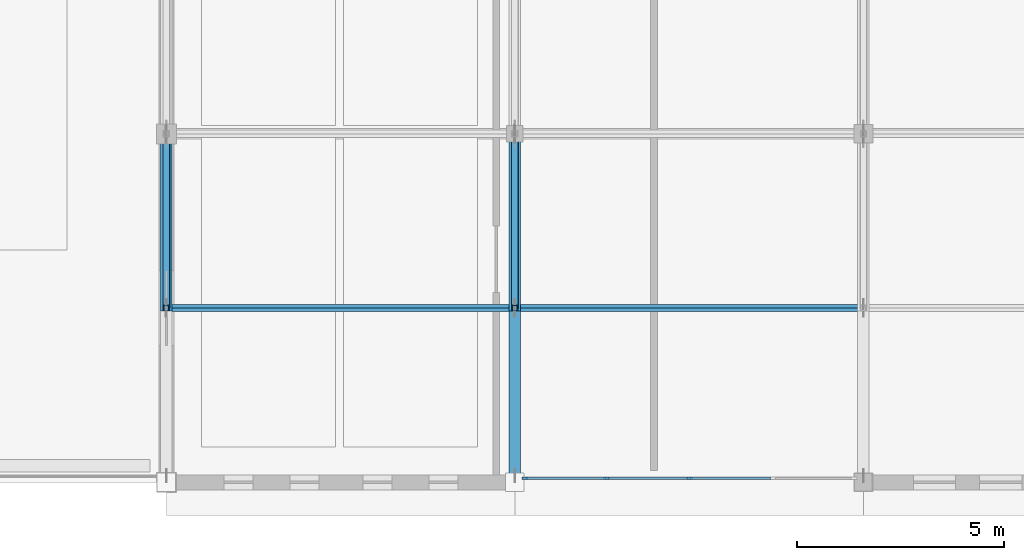
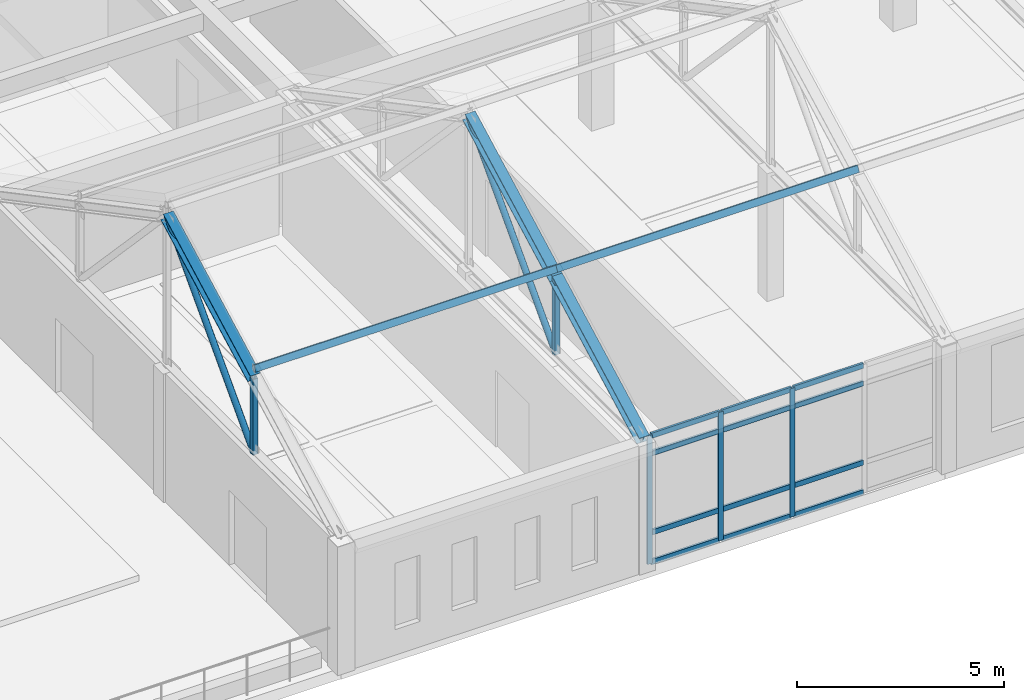
# One storey, part 2 of 47: 24 members, 1 element without a shape of its own.
"""IFC4 building model written with IfcOpenShell, lengths in metres."""

from ifc_helpers import new_model, si_unit, direction, frame, origin, origin_2d, place, context, subcontext, project, spatial, rectangle, hollow_rectangle, hollow_circle, i_section, extrude, material, layer, layer_set, material_profile, profile_set, type_object, element, aggregate, save


model = new_model("IFC4")

# Units and contexts
model_context = context("Model", 3, precision=1e-05, world=origin(), true_north=direction((0.0, 1.0)))
body_context = subcontext(model_context, "Body", "Model", "MODEL_VIEW")
ifc_project = project(units=[si_unit("LENGTHUNIT", "METRE"), si_unit("AREAUNIT", "SQUARE_METRE"), si_unit("VOLUMEUNIT", "CUBIC_METRE"), si_unit("PLANEANGLEUNIT", "RADIAN"), si_unit("MASSUNIT", "GRAM", prefix="KILO")], contexts=[model_context])

# Site, building, storey
site_placement = place(None, origin())
site = spatial("IfcSite", under=ifc_project, at=site_placement, CompositionType="ELEMENT")
building_placement = place(site_placement, origin())
building = spatial("IfcBuilding", under=site, at=building_placement, Name="Kveldsbrygga Polytechnic", CompositionType="ELEMENT")
storey_placement = place(building_placement, frame((0.0, 0.0, 13.93994140625)))
storey = spatial("IfcBuildingStorey", under=building, at=storey_placement, Name="L03", CompositionType="ELEMENT", Elevation=13.93994140625)

# Members
ifc_material_1 = material(Name="Steel S355", Category="steel")
ifc_material_profile_1 = material_profile(ifc_material_1, hollow_circle(Radius=0.084228515625, WallThickness=0.010009765625, at=origin_2d()), Name="CHS 168.3x10.0")
ifc_profile_set_1 = profile_set([ifc_material_profile_1], Name="Steel S355")
member_type_1 = type_object("IfcMemberType", Name="BR-WIND-CHS168", PredefinedType="BRACE", material=ifc_profile_set_1)
for number, where, z_axis, x_axis, name in (
    (1, (126.0, 4.199951171875, 3.780029296875), (0.0, 0.686383320151, 0.727239945148), (-1.0, 0.0, 0.0), "Truss Diagonal V4S4-T01-DG-2"),
    (2, (134.39990234375, 4.199951171875, 3.780029296875), (0.0, 0.686383320151, 0.727239945148), (-1.0, 0.0, 0.0), "Truss Diagonal V4S4-T02-DG-2"),
):
    element("IfcMember", number, at=place(storey_placement, frame(where, z_axis=z_axis, x_axis=x_axis)), inside=storey, type_object=member_type_1, Name=name, PredefinedType="BRACE", context=body_context, shape_type="SweptSolid", body=[
        extrude(hollow_circle(Radius=0.084228515625, WallThickness=0.010009765625, at=origin_2d()), origin(), (0.0, 0.0, 1.0), 6.118896484375),
    ])

# Curtain wall, members
ifc_material_2 = material(Name="Anodised aluminium AW-6060", Category="aluminium")
ifc_layer = layer(ifc_material_2, 0.199951171875)
ifc_layer_set = layer_set([ifc_layer], Name="Anodised aluminium AW-6060")
curtain_wall_type = type_object("IfcCurtainWallType", Name="CW-LANC-E", PredefinedType="USERDEFINED", material=ifc_layer_set)
curtain_wall_placement = place(storey_placement, origin())
curtain_wall = element("IfcCurtainWall", 3, at=curtain_wall_placement, inside=storey, type_object=curtain_wall_type, Name="Curtain Wall CW-L03-X-16-00", ObjectType="UNITISED CURTAIN WALL", PredefinedType="USERDEFINED")
ifc_material_profile_2 = material_profile(ifc_material_2, rectangle(XDim=0.06005859375, YDim=0.139892578125, at=origin_2d()), Name="ALU 60x140")
ifc_profile_set_2 = profile_set([ifc_material_profile_2], Name="Anodised aluminium AW-6060")
member_type_2 = type_object("IfcMemberType", Name="CW-MUL-140", PredefinedType="MULLION", material=ifc_profile_set_2)
member_1_placement = place(storey_placement, frame((134.639892578125, 0.10009765625, 0.0), z_axis=(0.0, 0.0, 1.0), x_axis=(0.0, 1.0, 0.0)))
member_1 = element("IfcMember", 4, at=member_1_placement, type_object=member_type_2, Name="CW-05 mullion 1", PredefinedType="MULLION", context=body_context, shape_type="SweptSolid", body=[
    extrude(rectangle(XDim=0.06005859375, YDim=0.139892578125, at=origin_2d()), origin(), (0.0, 0.0, 1.0), 3.780029296875),
])
member_2_placement = place(storey_placement, frame((136.608642578125, 0.10009765625, 0.0), z_axis=(0.0, 0.0, 1.0), x_axis=(0.0, 1.0, 0.0)))
member_2 = element("IfcMember", 5, at=member_2_placement, type_object=member_type_2, Name="CW-05 mullion 2", PredefinedType="MULLION", context=body_context, shape_type="SweptSolid", body=[
    extrude(rectangle(XDim=0.06005859375, YDim=0.139892578125, at=origin_2d()), origin(), (0.0, 0.0, 1.0), 3.780029296875),
])
member_3_placement = place(storey_placement, frame((138.607421875, 0.10009765625, 0.0), z_axis=(0.0, 0.0, 1.0), x_axis=(0.0, 1.0, 0.0)))
member_3 = element("IfcMember", 6, at=member_3_placement, type_object=member_type_2, Name="CW-05 mullion 3", PredefinedType="MULLION", context=body_context, shape_type="SweptSolid", body=[
    extrude(rectangle(XDim=0.06005859375, YDim=0.139892578125, at=origin_2d()), origin(), (0.0, 0.0, 1.0), 3.780029296875),
])
ifc_material_profile_3 = material_profile(ifc_material_2, rectangle(XDim=0.06005859375, YDim=0.14990234375, at=origin_2d()), Name="ALU 60x150")
ifc_profile_set_3 = profile_set([ifc_material_profile_3], Name="Anodised aluminium AW-6060")
member_type_3 = type_object("IfcMemberType", Name="CW-TRN-150", PredefinedType="USERDEFINED", material=ifc_profile_set_3)
member_4_placement = place(storey_placement, frame((134.669921875, 0.10009765625, 0.030029296875), z_axis=(1.0, 0.0, 0.0), x_axis=(0.0, 1.0, 0.0)))
member_4 = element("IfcMember", 7, at=member_4_placement, type_object=member_type_3, Name="CW-05 transom 1.1", ObjectType="TRANSOM", PredefinedType="USERDEFINED", context=body_context, shape_type="SweptSolid", body=[
    extrude(rectangle(XDim=0.06005859375, YDim=0.14990234375, at=origin_2d()), origin(), (0.0, 0.0, 1.0), 1.908935546875),
])
member_5_placement = place(storey_placement, frame((134.669921875, 0.10009765625, 0.900146484375), z_axis=(1.0, 0.0, 0.0), x_axis=(0.0, 1.0, 0.0)))
member_5 = element("IfcMember", 8, at=member_5_placement, type_object=member_type_3, Name="CW-05 transom 1.2", ObjectType="TRANSOM", PredefinedType="USERDEFINED", context=body_context, shape_type="SweptSolid", body=[
    extrude(rectangle(XDim=0.06005859375, YDim=0.14990234375, at=origin_2d()), origin(), (0.0, 0.0, 1.0), 1.908935546875),
])
member_6_placement = place(storey_placement, frame((134.669921875, 0.10009765625, 3.22998046875), z_axis=(1.0, 0.0, 0.0), x_axis=(0.0, 1.0, 0.0)))
member_6 = element("IfcMember", 9, at=member_6_placement, type_object=member_type_3, Name="CW-05 transom 1.3", ObjectType="TRANSOM", PredefinedType="USERDEFINED", context=body_context, shape_type="SweptSolid", body=[
    extrude(rectangle(XDim=0.06005859375, YDim=0.14990234375, at=origin_2d()), origin(), (0.0, 0.0, 1.0), 1.908935546875),
])
member_7_placement = place(storey_placement, frame((134.669921875, 0.10009765625, 3.75), z_axis=(1.0, 0.0, 0.0), x_axis=(0.0, 1.0, 0.0)))
member_7 = element("IfcMember", 10, at=member_7_placement, type_object=member_type_3, Name="CW-05 transom 1.4", ObjectType="TRANSOM", PredefinedType="USERDEFINED", context=body_context, shape_type="SweptSolid", body=[
    extrude(rectangle(XDim=0.06005859375, YDim=0.14990234375, at=origin_2d()), origin(), (0.0, 0.0, 1.0), 1.908935546875),
])
member_8_placement = place(storey_placement, frame((136.638671875, 0.10009765625, 0.030029296875), z_axis=(1.0, 0.0, 0.0), x_axis=(0.0, 1.0, 0.0)))
member_8 = element("IfcMember", 11, at=member_8_placement, type_object=member_type_3, Name="CW-05 transom 2.1", ObjectType="TRANSOM", PredefinedType="USERDEFINED", context=body_context, shape_type="SweptSolid", body=[
    extrude(rectangle(XDim=0.06005859375, YDim=0.14990234375, at=origin_2d()), origin(), (0.0, 0.0, 1.0), 1.938720703125),
])
member_9_placement = place(storey_placement, frame((136.638671875, 0.10009765625, 0.900146484375), z_axis=(1.0, 0.0, 0.0), x_axis=(0.0, 1.0, 0.0)))
member_9 = element("IfcMember", 12, at=member_9_placement, type_object=member_type_3, Name="CW-05 transom 2.2", ObjectType="TRANSOM", PredefinedType="USERDEFINED", context=body_context, shape_type="SweptSolid", body=[
    extrude(rectangle(XDim=0.06005859375, YDim=0.14990234375, at=origin_2d()), origin(), (0.0, 0.0, 1.0), 1.938720703125),
])
member_10_placement = place(storey_placement, frame((136.638671875, 0.10009765625, 3.22998046875), z_axis=(1.0, 0.0, 0.0), x_axis=(0.0, 1.0, 0.0)))
member_10 = element("IfcMember", 13, at=member_10_placement, type_object=member_type_3, Name="CW-05 transom 2.3", ObjectType="TRANSOM", PredefinedType="USERDEFINED", context=body_context, shape_type="SweptSolid", body=[
    extrude(rectangle(XDim=0.06005859375, YDim=0.14990234375, at=origin_2d()), origin(), (0.0, 0.0, 1.0), 1.938720703125),
])
member_11_placement = place(storey_placement, frame((136.638671875, 0.10009765625, 3.75), z_axis=(1.0, 0.0, 0.0), x_axis=(0.0, 1.0, 0.0)))
member_11 = element("IfcMember", 14, at=member_11_placement, type_object=member_type_3, Name="CW-05 transom 2.4", ObjectType="TRANSOM", PredefinedType="USERDEFINED", context=body_context, shape_type="SweptSolid", body=[
    extrude(rectangle(XDim=0.06005859375, YDim=0.14990234375, at=origin_2d()), origin(), (0.0, 0.0, 1.0), 1.938720703125),
])
member_12_placement = place(storey_placement, frame((138.637451171875, 0.10009765625, 0.030029296875), z_axis=(1.0, 0.0, 0.0), x_axis=(0.0, 1.0, 0.0)))
member_12 = element("IfcMember", 15, at=member_12_placement, type_object=member_type_3, Name="CW-05 transom 3.1", ObjectType="TRANSOM", PredefinedType="USERDEFINED", context=body_context, shape_type="SweptSolid", body=[
    extrude(rectangle(XDim=0.06005859375, YDim=0.14990234375, at=origin_2d()), origin(), (0.0, 0.0, 1.0), 1.938720703125),
])
member_13_placement = place(storey_placement, frame((138.637451171875, 0.10009765625, 0.900146484375), z_axis=(1.0, 0.0, 0.0), x_axis=(0.0, 1.0, 0.0)))
member_13 = element("IfcMember", 16, at=member_13_placement, type_object=member_type_3, Name="CW-05 transom 3.2", ObjectType="TRANSOM", PredefinedType="USERDEFINED", context=body_context, shape_type="SweptSolid", body=[
    extrude(rectangle(XDim=0.06005859375, YDim=0.14990234375, at=origin_2d()), origin(), (0.0, 0.0, 1.0), 1.938720703125),
])
member_14_placement = place(storey_placement, frame((138.637451171875, 0.10009765625, 3.22998046875), z_axis=(1.0, 0.0, 0.0), x_axis=(0.0, 1.0, 0.0)))
member_14 = element("IfcMember", 17, at=member_14_placement, type_object=member_type_3, Name="CW-05 transom 3.3", ObjectType="TRANSOM", PredefinedType="USERDEFINED", context=body_context, shape_type="SweptSolid", body=[
    extrude(rectangle(XDim=0.06005859375, YDim=0.14990234375, at=origin_2d()), origin(), (0.0, 0.0, 1.0), 1.938720703125),
])
member_15_placement = place(storey_placement, frame((138.637451171875, 0.10009765625, 3.75), z_axis=(1.0, 0.0, 0.0), x_axis=(0.0, 1.0, 0.0)))
member_15 = element("IfcMember", 18, at=member_15_placement, type_object=member_type_3, Name="CW-05 transom 3.4", ObjectType="TRANSOM", PredefinedType="USERDEFINED", context=body_context, shape_type="SweptSolid", body=[
    extrude(rectangle(XDim=0.06005859375, YDim=0.14990234375, at=origin_2d()), origin(), (0.0, 0.0, 1.0), 1.938720703125),
])
aggregate(curtain_wall, [member_1, member_2, member_3, member_4, member_5, member_6, member_7, member_8, member_9, member_10, member_11, member_12, member_13, member_14, member_15])

# Members
ifc_material_profile_4 = material_profile(ifc_material_1, hollow_rectangle(XDim=0.10009765625, YDim=0.179931640625, WallThickness=0.008056640625, at=origin_2d()), Name="RHS 180x100x8.0")
ifc_profile_set_4 = profile_set([ifc_material_profile_4], Name="Steel S355")
member_type_4 = type_object("IfcMemberType", Name="PRL-RHS180", PredefinedType="PURLIN", material=ifc_profile_set_4)
member_16_placement = place(storey_placement, frame((126.0, 4.199951171875, 6.265380859375), z_axis=(1.0, 0.0, 0.0), x_axis=(0.0, 0.883660254474, -0.468128779998)))
element("IfcMember", 19, at=member_16_placement, inside=storey, type_object=member_type_4, Name="Roof Purlin V4S4-PRL-1-1", PredefinedType="PURLIN", context=body_context, shape_type="SweptSolid", body=[
    extrude(hollow_rectangle(XDim=0.10009765625, YDim=0.179931640625, WallThickness=0.008056640625, at=origin_2d()), origin(), (0.0, 0.0, 1.0), 8.39990234375),
])
member_17_placement = place(storey_placement, frame((134.39990234375, 4.199951171875, 6.265380859375), z_axis=(1.0, 0.0, 0.0), x_axis=(0.0, 0.883660254474, -0.468128779998)))
element("IfcMember", 20, at=member_17_placement, inside=storey, type_object=member_type_4, Name="Roof Purlin V4S4-PRL-2-1", PredefinedType="PURLIN", context=body_context, shape_type="SweptSolid", body=[
    extrude(hollow_rectangle(XDim=0.10009765625, YDim=0.179931640625, WallThickness=0.008056640625, at=origin_2d()), origin(), (0.0, 0.0, 1.0), 8.400146484375),
])
ifc_material_profile_5 = material_profile(ifc_material_1, hollow_rectangle(XDim=0.139892578125, YDim=0.139892578125, WallThickness=0.008056640625, at=origin_2d()), Name="SHS 140x140x8.0")
ifc_profile_set_5 = profile_set([ifc_material_profile_5], Name="Steel S355")
member_type_5 = type_object("IfcMemberType", Name="TR-POST-SHS140", PredefinedType="STRUT", material=ifc_profile_set_5)
for number, where, z_axis, x_axis, name in (
    (21, (126.0, 4.199951171875, 3.780029296875), (0.0, 0.0, 1.0), (1.0, 0.0, 0.0), "Truss Vertical V4S4-T01-VT-1"),
    (22, (134.39990234375, 4.199951171875, 3.780029296875), (0.0, 0.0, 1.0), (1.0, 0.0, 0.0), "Truss Vertical V4S4-T02-VT-1"),
):
    element("IfcMember", number, at=place(storey_placement, frame(where, z_axis=z_axis, x_axis=x_axis)), inside=storey, type_object=member_type_5, Name=name, PredefinedType="STRUT", context=body_context, shape_type="SweptSolid", body=[
        extrude(hollow_rectangle(XDim=0.139892578125, YDim=0.139892578125, WallThickness=0.008056640625, at=origin_2d()), origin(), (0.0, 0.0, 1.0), 2.22509765625),
    ])
ifc_material_profile_6 = material_profile(ifc_material_1, i_section(OverallWidth=0.280029296875, OverallDepth=0.280029296875, WebThickness=0.010498046875, FlangeThickness=0.01806640625, FilletRadius=0.02392578125, at=origin_2d()), Name="HEB 280")
ifc_profile_set_6 = profile_set([ifc_material_profile_6], Name="Steel S355")
member_type_6 = type_object("IfcMemberType", Name="TR-TOP-HEB280", PredefinedType="CHORD", material=ifc_profile_set_6)
for number, where, z_axis, x_axis, name in (
    (23, (126.0, 4.199951171875, 6.005126953125), (0.0, 0.883670438028, 0.468109556574), (-1.0, 0.0, 0.0), "Truss Top Chord V4S4-T01-TC-2"),
    (24, (134.39990234375, 0.0, 3.780029296875), (0.0, 0.883649189339, 0.468149666432), (-1.0, 0.0, 0.0), "Truss Top Chord V4S4-T02-TC-1"),
    (25, (134.39990234375, 4.199951171875, 6.005126953125), (0.0, 0.883670438028, 0.468109556574), (-1.0, 0.0, 0.0), "Truss Top Chord V4S4-T02-TC-2"),
):
    element("IfcMember", number, at=place(storey_placement, frame(where, z_axis=z_axis, x_axis=x_axis)), inside=storey, type_object=member_type_6, Name=name, PredefinedType="CHORD", context=body_context, shape_type="SweptSolid", body=[
        extrude(i_section(OverallWidth=0.280029296875, OverallDepth=0.280029296875, WebThickness=0.010498046875, FlangeThickness=0.01806640625, FilletRadius=0.02392578125, at=origin_2d()), origin(), (0.0, 0.0, 1.0), 4.7529296875),
    ])

save(model, "model.ifc")
